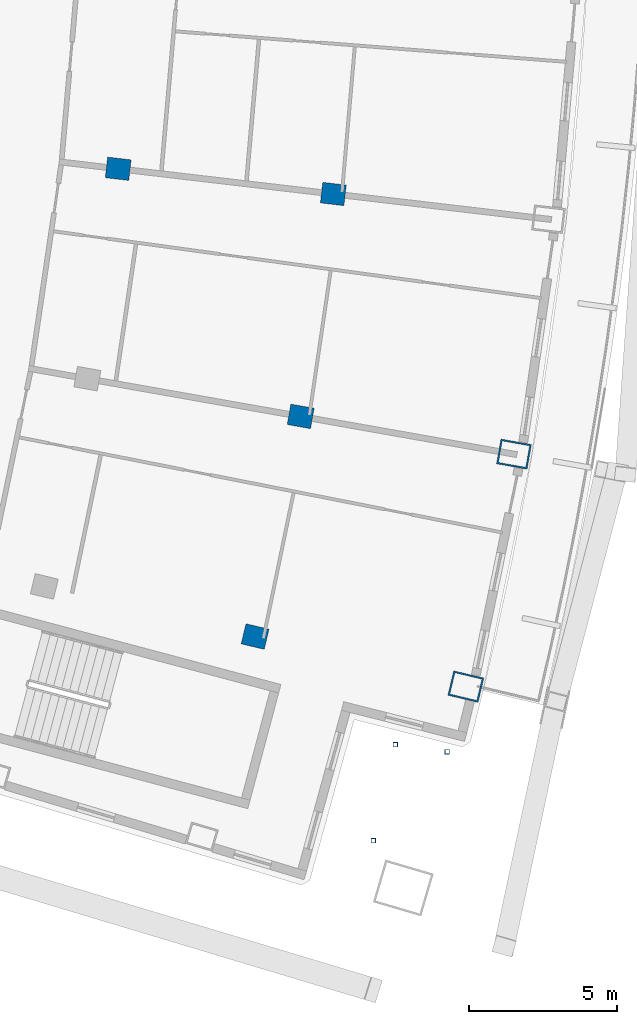
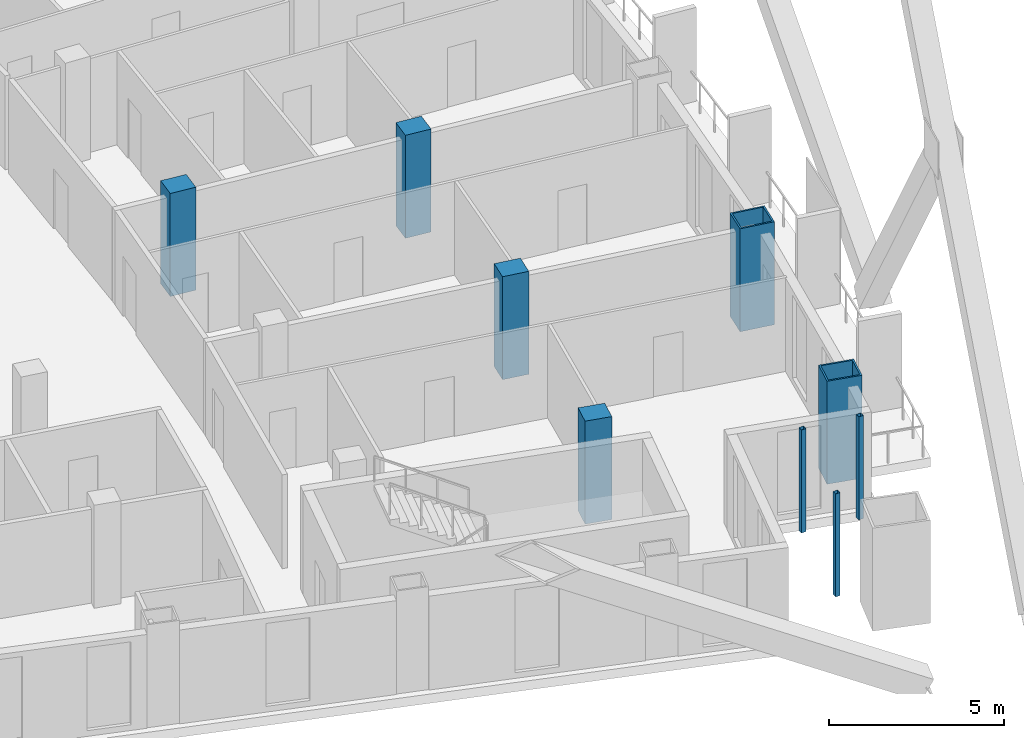
# One storey, part 5 of 20: 9 columns.
"""IFC4 building model written with IfcOpenShell, lengths in metres."""

from ifc_helpers import new_model, si_unit, direction, frame, origin, origin_2d, place, context, subcontext, project, spatial, rectangle, hollow_rectangle, extrude, material, material_profile, profile_set, type_object, element, save


model = new_model("IFC4")

# Units and contexts
model_context = context("Model", 3, precision=1e-05, world=origin(), true_north=direction((0.0, 1.0)))
body_context = subcontext(model_context, "Body", "Model", "MODEL_VIEW")
ifc_project = project(units=[si_unit("LENGTHUNIT", "METRE"), si_unit("AREAUNIT", "SQUARE_METRE"), si_unit("VOLUMEUNIT", "CUBIC_METRE"), si_unit("PLANEANGLEUNIT", "RADIAN"), si_unit("MASSUNIT", "GRAM", prefix="KILO")], contexts=[model_context])

# Site, building, storey
site_placement = place(None, origin())
site = spatial("IfcSite", under=ifc_project, at=site_placement, CompositionType="ELEMENT")
building_placement = place(site_placement, origin())
building = spatial("IfcBuilding", under=site, at=building_placement, Name="Alderwake Tower", CompositionType="ELEMENT")
storey_placement = place(building_placement, frame((0.0, 0.0, 210.800048828125)))
storey = spatial("IfcBuildingStorey", under=building, at=storey_placement, Name="L52", CompositionType="ELEMENT", Elevation=210.800048828125)

# Columns
ifc_material_1 = material(Name="Concrete C70/85", Category="concrete")
ifc_material_profile_1 = material_profile(ifc_material_1, rectangle(XDim=0.699951171875, YDim=0.800048828125, at=origin_2d()), Name="RC 800X700")
ifc_profile_set_1 = profile_set([ifc_material_profile_1], Name="Concrete C70/85")
column_type_1 = type_object("IfcColumnType", Name="Interior column Z4", PredefinedType="COLUMN", material=ifc_profile_set_1)
for number, where, z_axis, x_axis, name in (
    (1, (46.93115234375, 30.833251953125, 0.0), (0.0, 0.0, 1.0), (0.231221547198, 0.972901123502, 0.0), "Column R03-C4"),
    (2, (48.47412109375, 38.28466796875, 0.0), (0.0, 0.0, 1.0), (0.174108800747, 0.984726421654, 0.0), "Column R04-C4"),
    (3, (42.29638671875, 46.6669921875, 0.0), (0.0, 0.0, 1.0), (0.116402054316, 0.993202175668, 0.0), "Column R05-C3"),
    (4, (49.579833984375, 45.8134765625, 0.0), (0.0, 0.0, 1.0), (0.116402054316, 0.993202175668, 0.0), "Column R05-C4"),
):
    element("IfcColumn", number, at=place(storey_placement, frame(where, z_axis=z_axis, x_axis=x_axis)), inside=storey, type_object=column_type_1, Name=name, PredefinedType="COLUMN", context=body_context, shape_type="SweptSolid", body=[
        extrude(rectangle(XDim=0.699951171875, YDim=0.800048828125, at=origin_2d()), origin(), (0.0, 0.0, 1.0), 3.599853515625),
    ])
ifc_material_2 = material(Name="Steel ASTM A500 Grade C", Category="steel")
ifc_material_profile_2 = material_profile(ifc_material_2, hollow_rectangle(XDim=0.15234375, YDim=0.15234375, WallThickness=0.0087890625, at=origin_2d()), Name="HSS6X6X3/8")
ifc_profile_set_2 = profile_set([ifc_material_profile_2], Name="Steel ASTM A500 Grade C")
column_type_2 = type_object("IfcColumnType", Name="Light post HSS6X6X3/8", PredefinedType="COLUMN", material=ifc_profile_set_2)
for number, where, z_axis, x_axis, name in (
    (5, (53.4326171875, 26.925537109375, 0.0), (0.0, 0.0, 1.0), (1.0, 0.0, 0.0), "Terrace post FS1"),
    (6, (50.9326171875, 23.925537109375, 0.0), (0.0, 0.0, 1.0), (1.0, 0.0, 0.0), "Terrace post FS2"),
    (7, (51.6826171875, 27.175537109375, 0.0), (0.0, 0.0, 1.0), (1.0, 0.0, 0.0), "Terrace post FS3"),
):
    element("IfcColumn", number, at=place(storey_placement, frame(where, z_axis=z_axis, x_axis=x_axis)), inside=storey, type_object=column_type_2, Name=name, PredefinedType="COLUMN", context=body_context, shape_type="SweptSolid", body=[
        extrude(hollow_rectangle(XDim=0.15234375, YDim=0.15234375, WallThickness=0.0087890625, at=origin_2d()), origin(), (0.0, 0.0, 1.0), 3.599853515625),
    ])
ifc_material_3 = material(Name="Steel ASTM A572 Grade 50 concrete filled C70/85", Category="concrete")
ifc_material_profile_3 = material_profile(ifc_material_3, hollow_rectangle(XDim=0.85009765625, YDim=1.050048828125, WallThickness=0.054931640625, at=origin_2d()), Name="BOX 1050X850X55")
ifc_profile_set_3 = profile_set([ifc_material_profile_3], Name="Steel ASTM A572 Grade 50 concrete filled C70/85")
column_type_3 = type_object("IfcColumnType", Name="Perimeter column Z4", PredefinedType="COLUMN", material=ifc_profile_set_3)
for number, where, z_axis, x_axis, name in (
    (8, (54.06591796875, 29.1376953125, 0.0), (0.0, 0.0, 1.0), (0.231221547198, 0.972901123502, 0.0), "Column R03-C5"),
    (9, (55.6953125, 37.0078125, 0.0), (0.0, 0.0, 1.0), (0.174108800747, 0.984726421654, 0.0), "Column R04-C5"),
):
    element("IfcColumn", number, at=place(storey_placement, frame(where, z_axis=z_axis, x_axis=x_axis)), inside=storey, type_object=column_type_3, Name=name, PredefinedType="COLUMN", context=body_context, shape_type="SweptSolid", body=[
        extrude(hollow_rectangle(XDim=0.85009765625, YDim=1.050048828125, WallThickness=0.054931640625, at=origin_2d()), origin(), (0.0, 0.0, 1.0), 3.599853515625),
    ])

save(model, "model.ifc")
